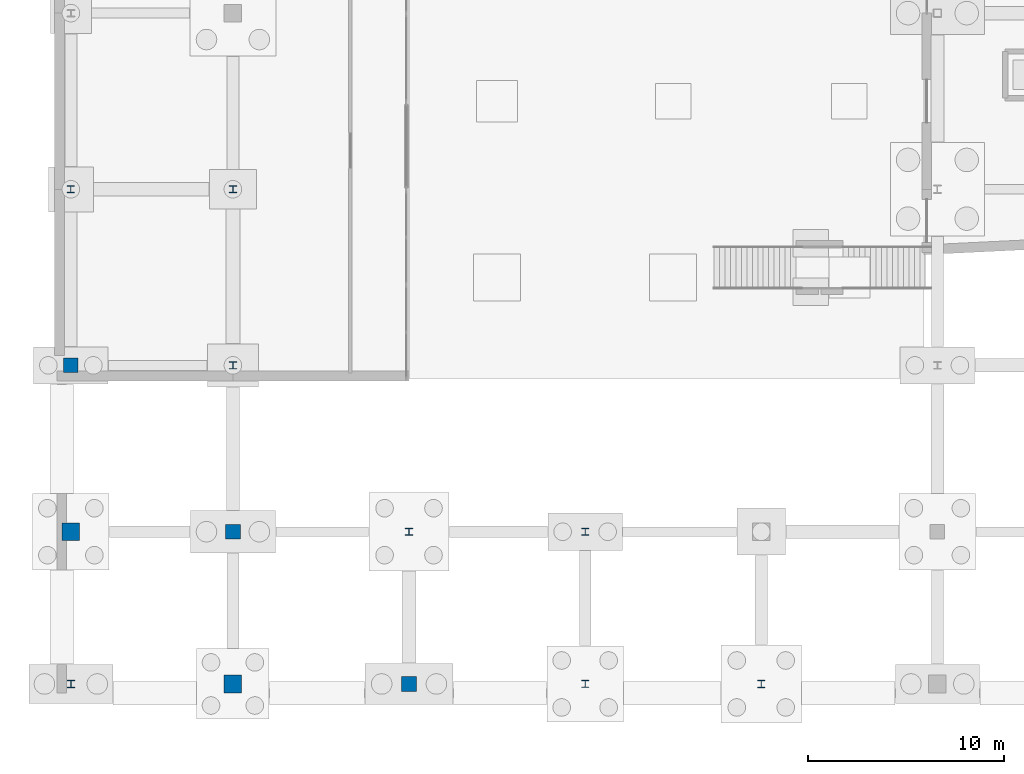
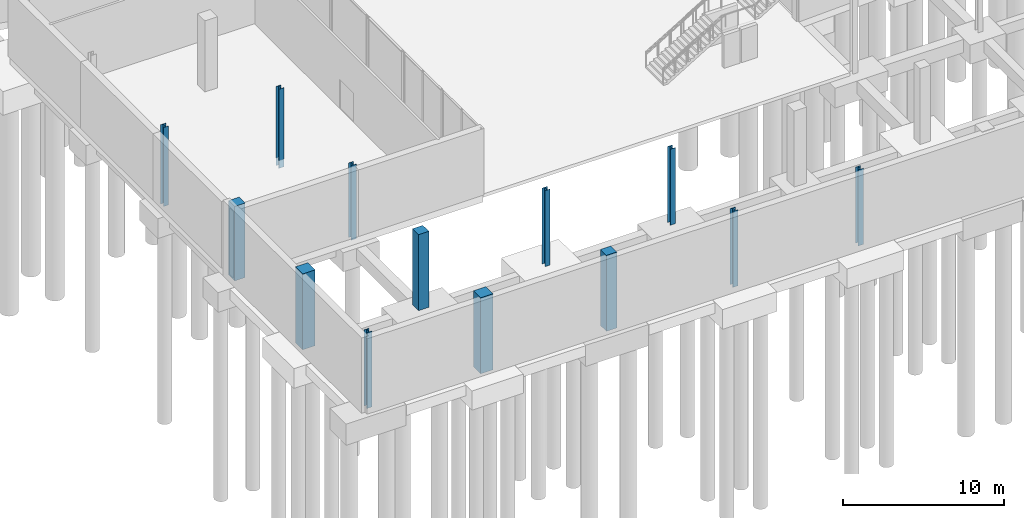
# One storey, part 16 of 60: 13 columns.
"""IFC4 building model written with IfcOpenShell, lengths in metres."""

from ifc_helpers import new_model, si_unit, direction, frame, origin, origin_2d, place, context, subcontext, project, spatial, rectangle, i_section, extrude, material, material_profile, profile_set, type_object, element, save


model = new_model("IFC4")

# Units and contexts
model_context = context("Model", 3, precision=1e-05, world=origin(), true_north=direction((0.0, 1.0)))
body_context = subcontext(model_context, "Body", "Model", "MODEL_VIEW")
ifc_project = project(units=[si_unit("LENGTHUNIT", "METRE"), si_unit("AREAUNIT", "SQUARE_METRE"), si_unit("VOLUMEUNIT", "CUBIC_METRE"), si_unit("PLANEANGLEUNIT", "RADIAN"), si_unit("MASSUNIT", "GRAM", prefix="KILO")], contexts=[model_context])

# Site, building, storey
site_placement = place(None, origin())
site = spatial("IfcSite", under=ifc_project, at=site_placement, CompositionType="ELEMENT")
building_placement = place(site_placement, origin())
building = spatial("IfcBuilding", under=site, at=building_placement, Name="Trimount Lyric Opera House", CompositionType="ELEMENT")
storey_placement = place(building_placement, frame((0.0, 0.0, -5.39990234375)))
storey = spatial("IfcBuildingStorey", under=building, at=storey_placement, Name="B1", CompositionType="ELEMENT", Elevation=-5.39990234375)

# Columns
ifc_material_1 = material(Name="Steel ASTM A992 Grade 50", Category="steel")
ifc_material_profile_1 = material_profile(ifc_material_1, i_section(OverallWidth=0.373046875, OverallDepth=0.367919921875, WebThickness=0.014892578125, FlangeThickness=0.02392578125, FilletRadius=0.014892578125, at=origin_2d()), Name="W14X120")
ifc_profile_set_1 = profile_set([ifc_material_profile_1], Name="Steel ASTM A992 Grade 50")
column_type_1 = type_object("IfcColumnType", Name="C-04", PredefinedType="COLUMN", material=ifc_profile_set_1)
column_1_placement = place(storey_placement, frame((0.719970703125, 0.719970703125, -0.60009765625), z_axis=(0.0, 0.0, 1.0), x_axis=(1.0, 0.0, 0.0)))
element("IfcColumn", 1, at=column_1_placement, inside=storey, type_object=column_type_1, Name="B1 column 1/A", PredefinedType="COLUMN", context=body_context, shape_type="SweptSolid", body=[
    extrude(i_section(OverallWidth=0.373046875, OverallDepth=0.367919921875, WebThickness=0.014892578125, FlangeThickness=0.02392578125, FilletRadius=0.014892578125, at=origin_2d()), origin(), (0.0, 0.0, 1.0), 5.760009765625),
])
column_2_placement = place(storey_placement, frame((9.0, 26.0, -0.60009765625), z_axis=(0.0, 0.0, 1.0), x_axis=(1.0, 0.0, 0.0)))
element("IfcColumn", 2, at=column_2_placement, inside=storey, type_object=column_type_1, Name="B1 column 2/D", PredefinedType="COLUMN", context=body_context, shape_type="SweptSolid", body=[
    extrude(i_section(OverallWidth=0.373046875, OverallDepth=0.367919921875, WebThickness=0.014892578125, FlangeThickness=0.02392578125, FilletRadius=0.014892578125, at=origin_2d()), origin(), (0.0, 0.0, 1.0), 6.0),
])
for number, where, z_axis, x_axis, name in (
    (3, (27.0, 8.5, -0.60009765625), (0.0, 0.0, 1.0), (1.0, 0.0, 0.0), "B1 column 4/B"),
    (4, (36.0, 0.719970703125, -0.60009765625), (0.0, 0.0, 1.0), (1.0, 0.0, 0.0), "B1 column 5/A"),
):
    element("IfcColumn", number, at=place(storey_placement, frame(where, z_axis=z_axis, x_axis=x_axis)), inside=storey, type_object=column_type_1, Name=name, PredefinedType="COLUMN", context=body_context, shape_type="SweptSolid", body=[
        extrude(i_section(OverallWidth=0.373046875, OverallDepth=0.367919921875, WebThickness=0.014892578125, FlangeThickness=0.02392578125, FilletRadius=0.014892578125, at=origin_2d()), origin(), (0.0, 0.0, 1.0), 5.760009765625),
    ])
ifc_material_2 = material(Name="Steel ASTM A992 Grade 50", Category="steel")
ifc_material_profile_2 = material_profile(ifc_material_2, i_section(OverallWidth=0.367919921875, OverallDepth=0.35595703125, WebThickness=0.01123046875, FlangeThickness=0.01806640625, FilletRadius=0.014892578125, at=origin_2d()), Name="W14X90")
ifc_profile_set_2 = profile_set([ifc_material_profile_2], Name="Steel ASTM A992 Grade 50")
column_type_2 = type_object("IfcColumnType", Name="C-09", PredefinedType="COLUMN", material=ifc_profile_set_2)
column_3_placement = place(storey_placement, frame((0.719970703125, 26.0, -0.60009765625), z_axis=(0.0, 0.0, 1.0), x_axis=(1.0, 0.0, 0.0)))
element("IfcColumn", 5, at=column_3_placement, inside=storey, type_object=column_type_2, Name="B1 column 1/D", PredefinedType="COLUMN", context=body_context, shape_type="SweptSolid", body=[
    extrude(i_section(OverallWidth=0.367919921875, OverallDepth=0.35595703125, WebThickness=0.01123046875, FlangeThickness=0.01806640625, FilletRadius=0.014892578125, at=origin_2d()), origin(), (0.0, 0.0, 1.0), 6.0),
])
column_4_placement = place(storey_placement, frame((9.0, 17.0, -0.60009765625), z_axis=(0.0, 0.0, 1.0), x_axis=(1.0, 0.0, 0.0)))
element("IfcColumn", 6, at=column_4_placement, inside=storey, type_object=column_type_2, Name="B1 column 2/C", PredefinedType="COLUMN", context=body_context, shape_type="SweptSolid", body=[
    extrude(i_section(OverallWidth=0.367919921875, OverallDepth=0.35595703125, WebThickness=0.01123046875, FlangeThickness=0.01806640625, FilletRadius=0.014892578125, at=origin_2d()), origin(), (0.0, 0.0, 1.0), 5.659912109375),
])
for number, where, z_axis, x_axis, name in (
    (7, (18.0, 8.5, -0.60009765625), (0.0, 0.0, 1.0), (1.0, 0.0, 0.0), "B1 column 3/B"),
    (8, (27.0, 0.719970703125, -0.60009765625), (0.0, 0.0, 1.0), (1.0, 0.0, 0.0), "B1 column 4/A"),
):
    element("IfcColumn", number, at=place(storey_placement, frame(where, z_axis=z_axis, x_axis=x_axis)), inside=storey, type_object=column_type_2, Name=name, PredefinedType="COLUMN", context=body_context, shape_type="SweptSolid", body=[
        extrude(i_section(OverallWidth=0.367919921875, OverallDepth=0.35595703125, WebThickness=0.01123046875, FlangeThickness=0.01806640625, FilletRadius=0.014892578125, at=origin_2d()), origin(), (0.0, 0.0, 1.0), 5.760009765625),
    ])
ifc_material_3 = material(Name="Concrete C50/60", Category="concrete")
ifc_material_profile_3 = material_profile(ifc_material_3, rectangle(XDim=0.89990234375, YDim=0.89990234375, at=origin_2d()), Name="RC900X900")
ifc_profile_set_3 = profile_set([ifc_material_profile_3], Name="Concrete C50/60")
column_type_3 = type_object("IfcColumnType", Name="C-13", PredefinedType="COLUMN", material=ifc_profile_set_3)
for number, where, z_axis, x_axis, name in (
    (9, (0.719970703125, 8.5, -0.60009765625), (0.0, 0.0, 1.0), (1.0, 0.0, 0.0), "B1 column 1/B"),
    (10, (9.0, 0.719970703125, -0.60009765625), (0.0, 0.0, 1.0), (1.0, 0.0, 0.0), "B1 column 2/A"),
):
    element("IfcColumn", number, at=place(storey_placement, frame(where, z_axis=z_axis, x_axis=x_axis)), inside=storey, type_object=column_type_3, Name=name, PredefinedType="COLUMN", context=body_context, shape_type="SweptSolid", body=[
        extrude(rectangle(XDim=0.89990234375, YDim=0.89990234375, at=origin_2d()), origin(), (0.0, 0.0, 1.0), 5.760009765625),
    ])
ifc_material_4 = material(Name="Concrete C40/50", Category="concrete")
ifc_material_profile_4 = material_profile(ifc_material_4, rectangle(XDim=0.75, YDim=0.75, at=origin_2d()), Name="RC750X750")
ifc_profile_set_4 = profile_set([ifc_material_profile_4], Name="Concrete C40/50")
column_type_4 = type_object("IfcColumnType", Name="C-15", PredefinedType="COLUMN", material=ifc_profile_set_4)
column_5_placement = place(storey_placement, frame((0.719970703125, 17.0, -0.60009765625), z_axis=(0.0, 0.0, 1.0), x_axis=(1.0, 0.0, 0.0)))
element("IfcColumn", 11, at=column_5_placement, inside=storey, type_object=column_type_4, Name="B1 column 1/C", PredefinedType="COLUMN", context=body_context, shape_type="SweptSolid", body=[
    extrude(rectangle(XDim=0.75, YDim=0.75, at=origin_2d()), origin(), (0.0, 0.0, 1.0), 5.659912109375),
])
for number, where, z_axis, x_axis, name in (
    (12, (9.0, 8.5, -0.60009765625), (0.0, 0.0, 1.0), (1.0, 0.0, 0.0), "B1 column 2/B"),
    (13, (18.0, 0.719970703125, -0.60009765625), (0.0, 0.0, 1.0), (1.0, 0.0, 0.0), "B1 column 3/A"),
):
    element("IfcColumn", number, at=place(storey_placement, frame(where, z_axis=z_axis, x_axis=x_axis)), inside=storey, type_object=column_type_4, Name=name, PredefinedType="COLUMN", context=body_context, shape_type="SweptSolid", body=[
        extrude(rectangle(XDim=0.75, YDim=0.75, at=origin_2d()), origin(), (0.0, 0.0, 1.0), 5.760009765625),
    ])

save(model, "model.ifc")
